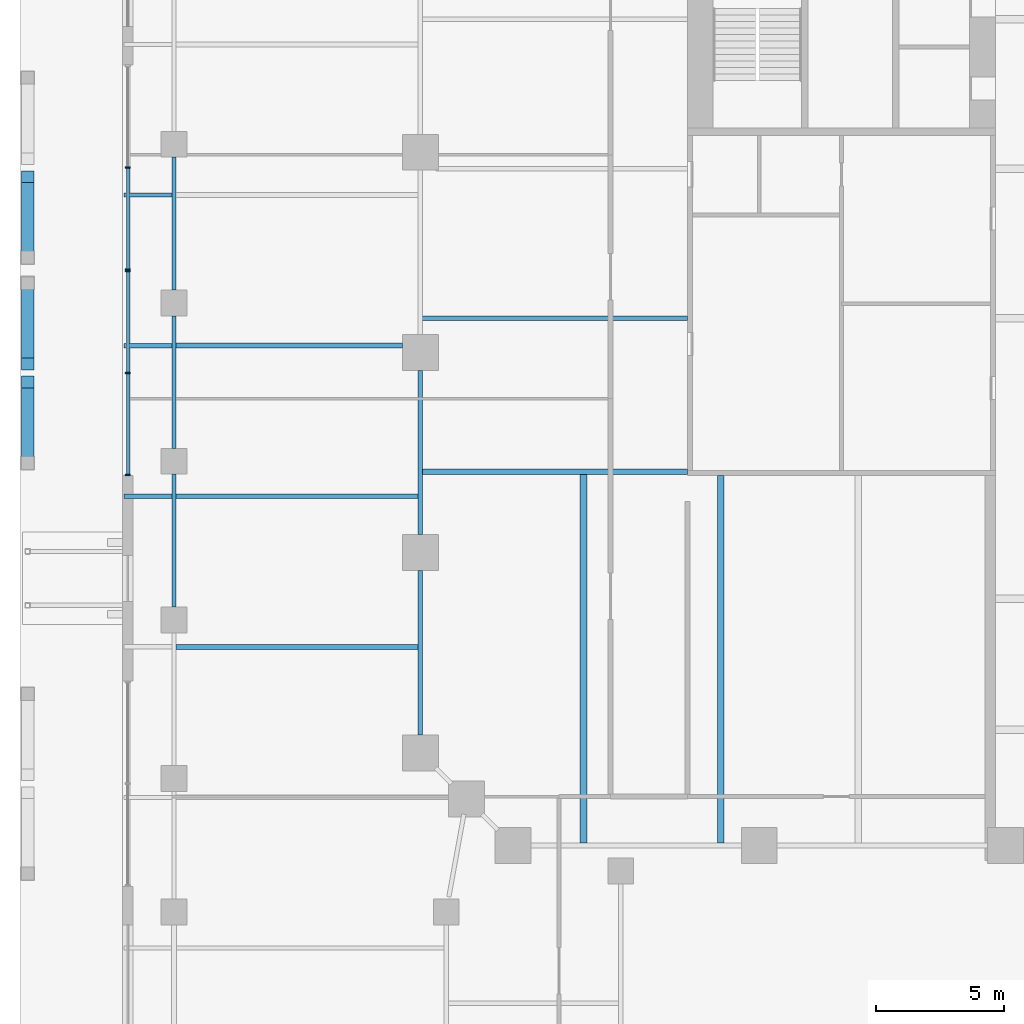
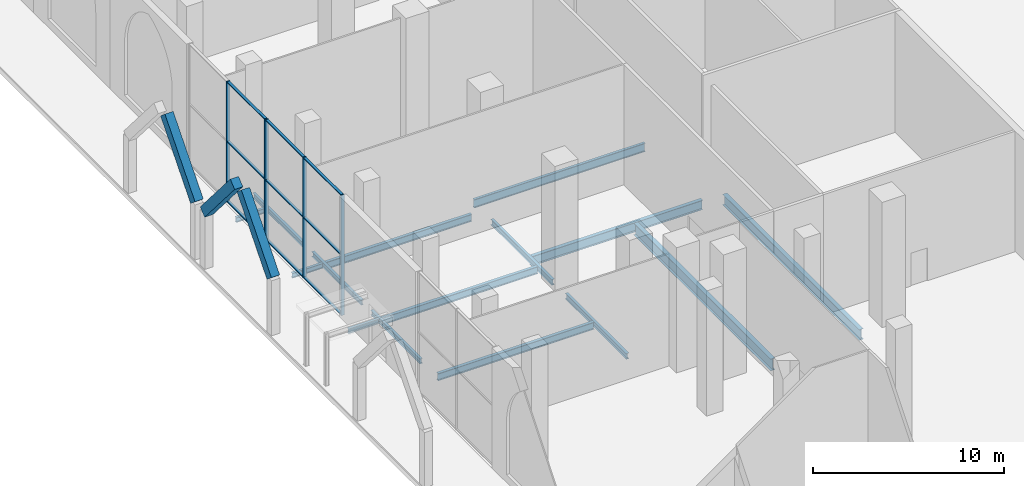
# One storey, part 17 of 38: 17 members, 15 beams, 2 elements without a shape of their own.
"""IFC4 building model written with IfcOpenShell, lengths in metres."""

from ifc_helpers import new_model, si_unit, direction, frame, origin, origin_2d, place, context, subcontext, project, spatial, rectangle, i_section, extrude, material, material_profile, profile_set, type_object, element, aggregate, save


model = new_model("IFC4")

# Units and contexts
model_context = context("Model", 3, precision=1e-05, world=origin(), true_north=direction((0.0, 1.0)))
body_context = subcontext(model_context, "Body", "Model", "MODEL_VIEW")
ifc_project = project(units=[si_unit("LENGTHUNIT", "METRE"), si_unit("AREAUNIT", "SQUARE_METRE"), si_unit("VOLUMEUNIT", "CUBIC_METRE"), si_unit("PLANEANGLEUNIT", "RADIAN"), si_unit("MASSUNIT", "GRAM", prefix="KILO")], contexts=[model_context])

# Site, building, storey
site_placement = place(None, origin())
site = spatial("IfcSite", under=ifc_project, at=site_placement, CompositionType="ELEMENT")
building_placement = place(site_placement, origin())
building = spatial("IfcBuilding", under=site, at=building_placement, Name="Ogive Exchange Tower", CompositionType="ELEMENT")
storey_placement = place(building_placement, origin())
storey = spatial("IfcBuildingStorey", under=building, at=storey_placement, Name="L00", CompositionType="ELEMENT", Elevation=0.0)

# Members
ifc_material_1 = material(Name="Concrete C70/85", Category="concrete")
ifc_material_profile_1 = material_profile(ifc_material_1, rectangle(XDim=0.5, YDim=0.60009765625, at=origin_2d()), Name="PC 500x600")
ifc_profile_set_1 = profile_set([ifc_material_profile_1], Name="Concrete C70/85")
member_type_1 = type_object("IfcMemberType", Name="Arch rib 500x600", PredefinedType="USERDEFINED", material=ifc_profile_set_1)
for number, where, z_axis, x_axis, name in (
    (1, (-47.699951171875, -7.5, 3.5), (0.0, 0.64925670005, 0.760569350842), (-1.0, 0.0, 0.0), "Arch rib"),
    (2, (-47.699951171875, -8.5, 3.5), (0.0, -0.64925670005, 0.760569350842), (1.0, 0.0, 0.0), "Arch rib"),
    (3, (-47.699951171875, -15.5, 3.5), (0.0, 0.64925670005, 0.760569350842), (-1.0, 0.0, 0.0), "Arch rib"),
):
    element("IfcMember", number, at=place(storey_placement, frame(where, z_axis=z_axis, x_axis=x_axis)), inside=storey, type_object=member_type_1, Name=name, ObjectType="ARCH RIB", PredefinedType="USERDEFINED", context=body_context, shape_type="SweptSolid", body=[
        extrude(rectangle(XDim=0.5, YDim=0.60009765625, at=origin_2d()), origin(), (0.0, 0.0, 1.0), 4.8515625),
    ])

# Beams
ifc_material_2 = material(Name="Steel ASTM A992 Gr50", Category="steel")
ifc_material_profile_2 = material_profile(ifc_material_2, i_section(OverallWidth=0.1650390625, OverallDepth=0.31005859375, WebThickness=0.005859375, FlangeThickness=0.009765625, at=origin_2d()), Name="W310x38.7")
ifc_profile_set_2 = profile_set([ifc_material_profile_2], Name="Steel ASTM A992 Gr50")
beam_type_1 = type_object("IfcBeamType", Name="Floor beam W310x38.7", PredefinedType="JOIST", material=ifc_profile_set_2)
for number, where, z_axis, x_axis, name in (
    (4, (-43.949951171875, -16.800048828125, -0.455078125), (1.0, 0.0, 0.0), (0.0, 1.0, 0.0), "Floor beam"),
    (5, (-43.949951171875, -10.933349609375, -0.455078125), (1.0, 0.0, 0.0), (0.0, 1.0, 0.0), "Floor beam"),
    (6, (-43.949951171875, -5.066650390625, -0.455078125), (1.0, 0.0, 0.0), (0.0, 1.0, 0.0), "Floor beam"),
):
    element("IfcBeam", number, at=place(storey_placement, frame(where, z_axis=z_axis, x_axis=x_axis)), inside=storey, type_object=beam_type_1, Name=name, PredefinedType="JOIST", context=body_context, shape_type="SweptSolid", body=[
        extrude(i_section(OverallWidth=0.1650390625, OverallDepth=0.31005859375, WebThickness=0.005859375, FlangeThickness=0.009765625, at=origin_2d()), origin(), (0.0, 0.0, 1.0), 1.867431640625),
    ])
ifc_material_profile_3 = material_profile(ifc_material_2, i_section(OverallWidth=0.19091796875, OverallDepth=0.45703125, WebThickness=0.009033203125, FlangeThickness=0.014404296875, at=origin_2d()), Name="W460x74")
ifc_profile_set_3 = profile_set([ifc_material_profile_3], Name="Steel ASTM A992 Gr50")
beam_type_2 = type_object("IfcBeamType", Name="Floor beam W460x74", PredefinedType="JOIST", material=ifc_profile_set_3)
for number, where, z_axis, x_axis, name in (
    (7, (-41.91748046875, -22.666748046875, -0.528564453125), (1.0, 0.0, 0.0), (0.0, 1.0, 0.0), "Floor beam"),
    (8, (-41.91748046875, -16.800048828125, -0.528564453125), (1.0, 0.0, 0.0), (0.0, 1.0, 0.0), "Floor beam"),
):
    element("IfcBeam", number, at=place(storey_placement, frame(where, z_axis=z_axis, x_axis=x_axis)), inside=storey, type_object=beam_type_2, Name=name, PredefinedType="JOIST", context=body_context, shape_type="SweptSolid", body=[
        extrude(i_section(OverallWidth=0.19091796875, OverallDepth=0.45703125, WebThickness=0.009033203125, FlangeThickness=0.014404296875, at=origin_2d()), origin(), (0.0, 0.0, 1.0), 9.431884765625),
    ])
beam_1_placement = place(storey_placement, frame((-41.91748046875, -10.933349609375, -0.528564453125), z_axis=(1.0, 0.0, 0.0), x_axis=(0.0, 1.0, 0.0)))
element("IfcBeam", 9, at=beam_1_placement, inside=storey, type_object=beam_type_2, Name="Floor beam", PredefinedType="JOIST", context=body_context, shape_type="SweptSolid", body=[
    extrude(i_section(OverallWidth=0.19091796875, OverallDepth=0.45703125, WebThickness=0.009033203125, FlangeThickness=0.014404296875, at=origin_2d()), origin(), (0.0, 0.0, 1.0), 8.8173828125),
])
ifc_material_profile_4 = material_profile(ifc_material_2, i_section(OverallWidth=0.1669921875, OverallDepth=0.535888671875, WebThickness=0.01025390625, FlangeThickness=0.0166015625, at=origin_2d()), Name="W530x85")
ifc_profile_set_4 = profile_set([ifc_material_profile_4], Name="Steel ASTM A992 Gr50")
beam_type_3 = type_object("IfcBeamType", Name="Floor beam W530x85", PredefinedType="JOIST", material=ifc_profile_set_4)
beam_2_placement = place(storey_placement, frame((-32.344970703125, -9.8642578125, -0.568115234375), z_axis=(1.0, 0.0, 0.0), x_axis=(0.0, 1.0, 0.0)))
element("IfcBeam", 10, at=beam_2_placement, inside=storey, type_object=beam_type_3, Name="Floor beam", PredefinedType="JOIST", context=body_context, shape_type="SweptSolid", body=[
    extrude(i_section(OverallWidth=0.1669921875, OverallDepth=0.535888671875, WebThickness=0.01025390625, FlangeThickness=0.0166015625, at=origin_2d()), origin(), (0.0, 0.0, 1.0), 10.344970703125),
])
ifc_material_profile_5 = material_profile(ifc_material_2, i_section(OverallWidth=0.25390625, OverallDepth=0.68310546875, WebThickness=0.012451171875, FlangeThickness=0.018798828125, at=origin_2d()), Name="W690x140")
ifc_profile_set_5 = profile_set([ifc_material_profile_5], Name="Steel ASTM A992 Gr50")
beam_type_4 = type_object("IfcBeamType", Name="Floor beam W690x140", PredefinedType="JOIST", material=ifc_profile_set_5)
beam_3_placement = place(storey_placement, frame((-20.699951171875, -30.304443359375, -0.6416015625), z_axis=(0.0, 1.0, 0.0), x_axis=(-1.0, 0.0, 0.0)))
element("IfcBeam", 11, at=beam_3_placement, inside=storey, type_object=beam_type_4, Name="Floor beam", PredefinedType="JOIST", context=body_context, shape_type="SweptSolid", body=[
    extrude(i_section(OverallWidth=0.25390625, OverallDepth=0.68310546875, WebThickness=0.012451171875, FlangeThickness=0.018798828125, at=origin_2d()), origin(), (0.0, 0.0, 1.0), 14.304443359375),
])
ifc_material_profile_6 = material_profile(ifc_material_2, i_section(OverallWidth=0.26708984375, OverallDepth=0.75390625, WebThickness=0.01318359375, FlangeThickness=0.01708984375, at=origin_2d()), Name="W760x147")
ifc_profile_set_6 = profile_set([ifc_material_profile_6], Name="Steel ASTM A992 Gr50")
beam_type_5 = type_object("IfcBeamType", Name="Floor beam W760x147", PredefinedType="JOIST", material=ifc_profile_set_6)
beam_4_placement = place(storey_placement, frame((-26.050048828125, -30.304443359375, -0.677001953125), z_axis=(0.0, 1.0, 0.0), x_axis=(-1.0, 0.0, 0.0)))
element("IfcBeam", 12, at=beam_4_placement, inside=storey, type_object=beam_type_5, Name="Floor beam", PredefinedType="JOIST", context=body_context, shape_type="SweptSolid", body=[
    extrude(i_section(OverallWidth=0.26708984375, OverallDepth=0.75390625, WebThickness=0.01318359375, FlangeThickness=0.01708984375, at=origin_2d()), origin(), (0.0, 0.0, 1.0), 14.345458984375),
])
ifc_material_profile_7 = material_profile(ifc_material_2, i_section(OverallWidth=0.1650390625, OverallDepth=0.31005859375, WebThickness=0.005859375, FlangeThickness=0.009765625, at=origin_2d()), Name="W310x38.7")
ifc_profile_set_7 = profile_set([ifc_material_profile_7], Name="Steel ASTM A992 Gr50")
beam_type_6 = type_object("IfcBeamType", Name="Girder W310x38.7", PredefinedType="BEAM", material=ifc_profile_set_7)
beam_5_placement = place(storey_placement, frame((-42.0, -21.1201171875, -0.455078125), z_axis=(0.0, 1.0, 0.0), x_axis=(-1.0, 0.0, 0.0)))
element("IfcBeam", 13, at=beam_5_placement, inside=storey, type_object=beam_type_6, Name="Girder", PredefinedType="BEAM", context=body_context, shape_type="SweptSolid", body=[
    extrude(i_section(OverallWidth=0.1650390625, OverallDepth=0.31005859375, WebThickness=0.005859375, FlangeThickness=0.009765625, at=origin_2d()), origin(), (0.0, 0.0, 1.0), 5.18017578125),
])
beam_6_placement = place(storey_placement, frame((-42.0, -14.93994140625, -0.455078125), z_axis=(0.0, 1.0, 0.0), x_axis=(-1.0, 0.0, 0.0)))
element("IfcBeam", 14, at=beam_6_placement, inside=storey, type_object=beam_type_6, Name="Girder", PredefinedType="BEAM", context=body_context, shape_type="SweptSolid", body=[
    extrude(i_section(OverallWidth=0.1650390625, OverallDepth=0.31005859375, WebThickness=0.005859375, FlangeThickness=0.009765625, at=origin_2d()), origin(), (0.0, 0.0, 1.0), 5.169921875),
])
beam_7_placement = place(storey_placement, frame((-42.0, -8.77001953125, -0.455078125), z_axis=(0.0, 1.0, 0.0), x_axis=(-1.0, 0.0, 0.0)))
element("IfcBeam", 15, at=beam_7_placement, inside=storey, type_object=beam_type_6, Name="Girder", PredefinedType="BEAM", context=body_context, shape_type="SweptSolid", body=[
    extrude(i_section(OverallWidth=0.1650390625, OverallDepth=0.31005859375, WebThickness=0.005859375, FlangeThickness=0.009765625, at=origin_2d()), origin(), (0.0, 0.0, 1.0), 5.179931640625),
])
ifc_material_profile_8 = material_profile(ifc_material_2, i_section(OverallWidth=0.1708984375, OverallDepth=0.35595703125, WebThickness=0.00732421875, FlangeThickness=0.01171875, at=origin_2d()), Name="W360x51")
ifc_profile_set_8 = profile_set([ifc_material_profile_8], Name="Steel ASTM A992 Gr50")
beam_type_7 = type_object("IfcBeamType", Name="Girder W360x51", PredefinedType="BEAM", material=ifc_profile_set_8)
for number, where, z_axis, x_axis, name in (
    (16, (-32.39990234375, -11.89990234375, -0.47802734375), (0.0, -1.0, 0.0), (1.0, 0.0, 0.0), "Girder"),
    (17, (-32.39990234375, -19.699951171875, -0.47802734375), (0.0, -1.0, 0.0), (1.0, 0.0, 0.0), "Girder"),
):
    element("IfcBeam", number, at=place(storey_placement, frame(where, z_axis=z_axis, x_axis=x_axis)), inside=storey, type_object=beam_type_7, Name=name, PredefinedType="BEAM", context=body_context, shape_type="SweptSolid", body=[
        extrude(i_section(OverallWidth=0.1708984375, OverallDepth=0.35595703125, WebThickness=0.00732421875, FlangeThickness=0.01171875, at=origin_2d()), origin(), (0.0, 0.0, 1.0), 6.400146484375),
    ])
ifc_material_profile_9 = material_profile(ifc_material_2, i_section(OverallWidth=0.22802734375, OverallDepth=0.60205078125, WebThickness=0.010498046875, FlangeThickness=0.014892578125, at=origin_2d()), Name="W610x101")
ifc_profile_set_9 = profile_set([ifc_material_profile_9], Name="Steel ASTM A992 Gr50")
beam_type_8 = type_object("IfcBeamType", Name="Girder W610x101", PredefinedType="BEAM", material=ifc_profile_set_9)
beam_8_placement = place(storey_placement, frame((-22.0, -15.844970703125, -0.60107421875), z_axis=(-1.0, 0.0, 0.0), x_axis=(0.0, -1.0, 0.0)))
element("IfcBeam", 18, at=beam_8_placement, inside=storey, type_object=beam_type_8, Name="Header girder", PredefinedType="BEAM", context=body_context, shape_type="SweptSolid", body=[
    extrude(i_section(OverallWidth=0.22802734375, OverallDepth=0.60205078125, WebThickness=0.010498046875, FlangeThickness=0.014892578125, at=origin_2d()), origin(), (0.0, 0.0, 1.0), 10.344970703125),
])

# Curtain wall, members
ifc_material_3 = material(Name="Anodised aluminium and clear glass", Category="aluminium")
curtain_wall_type = type_object("IfcCurtainWallType", Name="Podium arcade glazing", PredefinedType="NOTDEFINED", material=ifc_material_3)
curtain_wall_1_placement = place(storey_placement, origin())
curtain_wall_1 = element("IfcCurtainWall", 19, at=curtain_wall_1_placement, inside=storey, type_object=curtain_wall_type, Name="Podium arcade glazing run AG48", PredefinedType="NOTDEFINED")
ifc_material_4 = material(Name="Anodised aluminium", Category="aluminium")
ifc_material_profile_10 = material_profile(ifc_material_4, rectangle(XDim=0.199951171875, YDim=0.06005859375, at=origin_2d()), Name="AL 60x200")
ifc_profile_set_10 = profile_set([ifc_material_profile_10], Name="Anodised aluminium")
member_type_2 = type_object("IfcMemberType", Name="Podium arcade glazing mullion 60 x 200", PredefinedType="MULLION", material=ifc_profile_set_10)
member_1_placement = place(storey_placement, frame((-43.800048828125, -4.0, 0.0), z_axis=(0.0, 0.0, 1.0), x_axis=(1.0, 0.0, 0.0)))
member_1 = element("IfcMember", 20, at=member_1_placement, type_object=member_type_2, Name="AG48 mullion 2", PredefinedType="MULLION", context=body_context, shape_type="SweptSolid", body=[
    extrude(rectangle(XDim=0.199951171875, YDim=0.06005859375, at=origin_2d()), origin(), (0.0, 0.0, 1.0), 7.699951171875),
])
member_2_placement = place(storey_placement, frame((-43.800048828125, -7.969970703125, 0.0), z_axis=(0.0, 0.0, 1.0), x_axis=(1.0, 0.0, 0.0)))
member_2 = element("IfcMember", 21, at=member_2_placement, type_object=member_type_2, Name="AG48 mullion 3", PredefinedType="MULLION", context=body_context, shape_type="SweptSolid", body=[
    extrude(rectangle(XDim=0.199951171875, YDim=0.06005859375, at=origin_2d()), origin(), (0.0, 0.0, 1.0), 7.699951171875),
])

curtain_wall_2_placement = place(storey_placement, origin())
curtain_wall_2 = element("IfcCurtainWall", 22, at=curtain_wall_2_placement, inside=storey, type_object=curtain_wall_type, Name="Podium arcade glazing run AG49", PredefinedType="NOTDEFINED")
member_3_placement = place(storey_placement, frame((-43.800048828125, -8.030029296875, 0.0), z_axis=(0.0, 0.0, 1.0), x_axis=(1.0, 0.0, 0.0)))
member_3 = element("IfcMember", 23, at=member_3_placement, type_object=member_type_2, Name="AG49 mullion 1", PredefinedType="MULLION", context=body_context, shape_type="SweptSolid", body=[
    extrude(rectangle(XDim=0.199951171875, YDim=0.06005859375, at=origin_2d()), origin(), (0.0, 0.0, 1.0), 7.699951171875),
])
member_4_placement = place(storey_placement, frame((-43.800048828125, -12.0, 0.0), z_axis=(0.0, 0.0, 1.0), x_axis=(1.0, 0.0, 0.0)))
member_4 = element("IfcMember", 24, at=member_4_placement, type_object=member_type_2, Name="AG49 mullion 2", PredefinedType="MULLION", context=body_context, shape_type="SweptSolid", body=[
    extrude(rectangle(XDim=0.199951171875, YDim=0.06005859375, at=origin_2d()), origin(), (0.0, 0.0, 1.0), 7.699951171875),
])
member_5_placement = place(storey_placement, frame((-43.800048828125, -15.969970703125, 0.0), z_axis=(0.0, 0.0, 1.0), x_axis=(1.0, 0.0, 0.0)))
member_5 = element("IfcMember", 25, at=member_5_placement, type_object=member_type_2, Name="AG49 mullion 3", PredefinedType="MULLION", context=body_context, shape_type="SweptSolid", body=[
    extrude(rectangle(XDim=0.199951171875, YDim=0.06005859375, at=origin_2d()), origin(), (0.0, 0.0, 1.0), 7.699951171875),
])

# Member
ifc_material_profile_11 = material_profile(ifc_material_4, rectangle(XDim=0.159912109375, YDim=0.06005859375, at=origin_2d()), Name="AL 60x160")
ifc_profile_set_11 = profile_set([ifc_material_profile_11], Name="Anodised aluminium")
member_type_3 = type_object("IfcMemberType", Name="Podium arcade glazing transom 60 x 160", PredefinedType="USERDEFINED", material=ifc_profile_set_11)
member_6_placement = place(storey_placement, frame((-43.800048828125, -4.030029296875, 0.030029296875), z_axis=(0.0, -1.0, 0.0), x_axis=(1.0, 0.0, 0.0)))
member_6 = element("IfcMember", 26, at=member_6_placement, type_object=member_type_3, Name="AG48 transom 2.1", ObjectType="TRANSOM", PredefinedType="USERDEFINED", context=body_context, shape_type="SweptSolid", body=[
    extrude(rectangle(XDim=0.159912109375, YDim=0.06005859375, at=origin_2d()), origin(), (0.0, 0.0, 1.0), 3.909912109375),
])

member_7_placement = place(storey_placement, frame((-43.800048828125, -4.030029296875, 3.85009765625), z_axis=(0.0, -1.0, 0.0), x_axis=(1.0, 0.0, 0.0)))
member_7 = element("IfcMember", 27, at=member_7_placement, type_object=member_type_3, Name="AG48 transom 2.2", ObjectType="TRANSOM", PredefinedType="USERDEFINED", context=body_context, shape_type="SweptSolid", body=[
    extrude(rectangle(XDim=0.159912109375, YDim=0.06005859375, at=origin_2d()), origin(), (0.0, 0.0, 1.0), 3.909912109375),
])

member_8_placement = place(storey_placement, frame((-43.800048828125, -4.030029296875, 7.669921875), z_axis=(0.0, -1.0, 0.0), x_axis=(1.0, 0.0, 0.0)))
member_8 = element("IfcMember", 28, at=member_8_placement, type_object=member_type_3, Name="AG48 transom 2.3", ObjectType="TRANSOM", PredefinedType="USERDEFINED", context=body_context, shape_type="SweptSolid", body=[
    extrude(rectangle(XDim=0.159912109375, YDim=0.06005859375, at=origin_2d()), origin(), (0.0, 0.0, 1.0), 3.909912109375),
])

aggregate(curtain_wall_1, [member_1, member_2, member_6, member_7, member_8])

member_9_placement = place(storey_placement, frame((-43.800048828125, -8.06005859375, 0.030029296875), z_axis=(0.0, -1.0, 0.0), x_axis=(1.0, 0.0, 0.0)))
member_9 = element("IfcMember", 29, at=member_9_placement, type_object=member_type_3, Name="AG49 transom 1.1", ObjectType="TRANSOM", PredefinedType="USERDEFINED", context=body_context, shape_type="SweptSolid", body=[
    extrude(rectangle(XDim=0.159912109375, YDim=0.06005859375, at=origin_2d()), origin(), (0.0, 0.0, 1.0), 3.909912109375),
])

member_10_placement = place(storey_placement, frame((-43.800048828125, -8.06005859375, 3.85009765625), z_axis=(0.0, -1.0, 0.0), x_axis=(1.0, 0.0, 0.0)))
member_10 = element("IfcMember", 30, at=member_10_placement, type_object=member_type_3, Name="AG49 transom 1.2", ObjectType="TRANSOM", PredefinedType="USERDEFINED", context=body_context, shape_type="SweptSolid", body=[
    extrude(rectangle(XDim=0.159912109375, YDim=0.06005859375, at=origin_2d()), origin(), (0.0, 0.0, 1.0), 3.909912109375),
])

member_11_placement = place(storey_placement, frame((-43.800048828125, -8.06005859375, 7.669921875), z_axis=(0.0, -1.0, 0.0), x_axis=(1.0, 0.0, 0.0)))
member_11 = element("IfcMember", 31, at=member_11_placement, type_object=member_type_3, Name="AG49 transom 1.3", ObjectType="TRANSOM", PredefinedType="USERDEFINED", context=body_context, shape_type="SweptSolid", body=[
    extrude(rectangle(XDim=0.159912109375, YDim=0.06005859375, at=origin_2d()), origin(), (0.0, 0.0, 1.0), 3.909912109375),
])

member_12_placement = place(storey_placement, frame((-43.800048828125, -12.030029296875, 0.030029296875), z_axis=(0.0, -1.0, 0.0), x_axis=(1.0, 0.0, 0.0)))
member_12 = element("IfcMember", 32, at=member_12_placement, type_object=member_type_3, Name="AG49 transom 2.1", ObjectType="TRANSOM", PredefinedType="USERDEFINED", context=body_context, shape_type="SweptSolid", body=[
    extrude(rectangle(XDim=0.159912109375, YDim=0.06005859375, at=origin_2d()), origin(), (0.0, 0.0, 1.0), 3.909912109375),
])

member_13_placement = place(storey_placement, frame((-43.800048828125, -12.030029296875, 3.85009765625), z_axis=(0.0, -1.0, 0.0), x_axis=(1.0, 0.0, 0.0)))
member_13 = element("IfcMember", 33, at=member_13_placement, type_object=member_type_3, Name="AG49 transom 2.2", ObjectType="TRANSOM", PredefinedType="USERDEFINED", context=body_context, shape_type="SweptSolid", body=[
    extrude(rectangle(XDim=0.159912109375, YDim=0.06005859375, at=origin_2d()), origin(), (0.0, 0.0, 1.0), 3.909912109375),
])

member_14_placement = place(storey_placement, frame((-43.800048828125, -12.030029296875, 7.669921875), z_axis=(0.0, -1.0, 0.0), x_axis=(1.0, 0.0, 0.0)))
member_14 = element("IfcMember", 34, at=member_14_placement, type_object=member_type_3, Name="AG49 transom 2.3", ObjectType="TRANSOM", PredefinedType="USERDEFINED", context=body_context, shape_type="SweptSolid", body=[
    extrude(rectangle(XDim=0.159912109375, YDim=0.06005859375, at=origin_2d()), origin(), (0.0, 0.0, 1.0), 3.909912109375),
])

aggregate(curtain_wall_2, [member_3, member_4, member_5, member_9, member_10, member_11, member_12, member_13, member_14])

save(model, "model.ifc")
